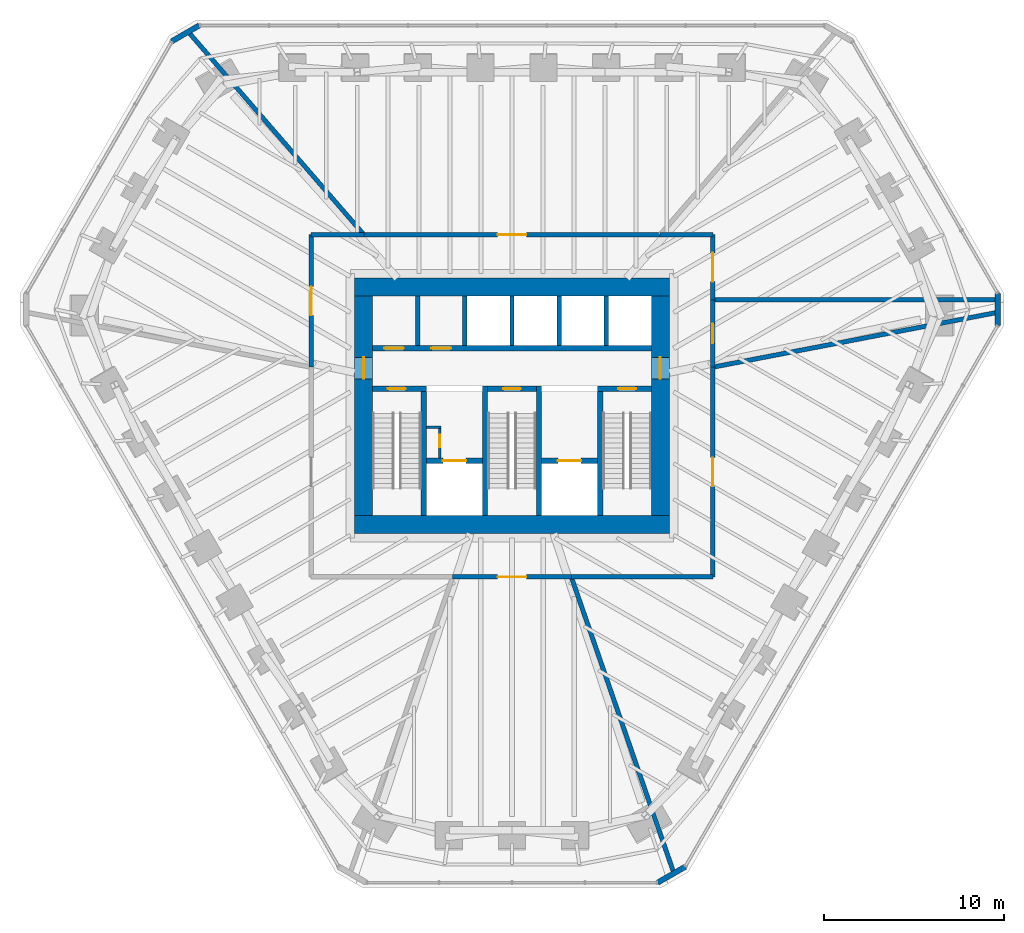
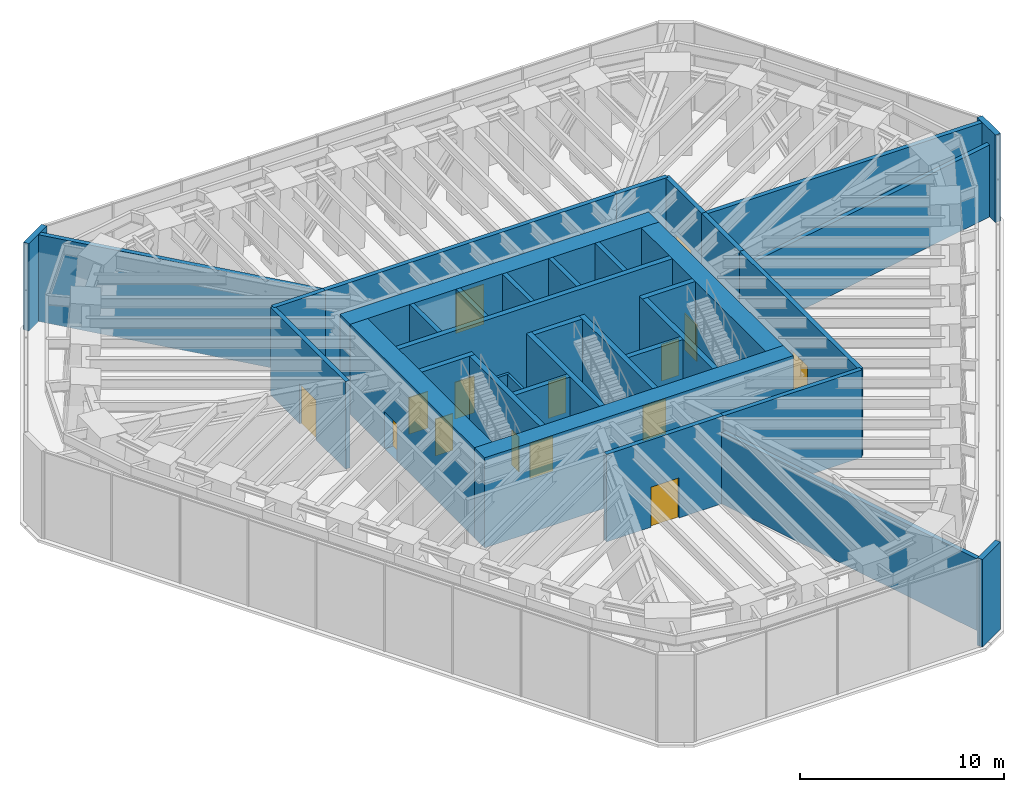
# One storey, part 11 of 13: 37 walls, 16 doors, 16 openings.
"""IFC4 building model written with IfcOpenShell, lengths in metres."""

from ifc_helpers import new_model, si_unit, direction, frame, frame_2d, origin, place, context, subcontext, project, spatial, rectangle, extrude, material, layer, layer_set, type_object, element, fill, save


model = new_model("IFC4")

# Units and contexts
model_context = context("Model", 3, precision=1e-05, world=origin(), true_north=direction((0.0, 1.0)))
body_context = subcontext(model_context, "Body", "Model", "MODEL_VIEW")
ifc_project = project(units=[si_unit("LENGTHUNIT", "METRE"), si_unit("AREAUNIT", "SQUARE_METRE"), si_unit("VOLUMEUNIT", "CUBIC_METRE"), si_unit("PLANEANGLEUNIT", "RADIAN"), si_unit("MASSUNIT", "GRAM", prefix="KILO")], contexts=[model_context])

# Site, building, storey
site_placement = place(None, origin())
site = spatial("IfcSite", under=ifc_project, at=site_placement, CompositionType="ELEMENT")
building_placement = place(site_placement, origin())
building = spatial("IfcBuilding", under=site, at=building_placement, Name="Sandreach Pilgrim Tower", CompositionType="ELEMENT")
storey_placement = place(building_placement, frame((0.0, 0.0, 251.60009765625)))
storey = spatial("IfcBuildingStorey", under=building, at=storey_placement, Name="L63", CompositionType="ELEMENT", Elevation=251.60009765625)

# Walls
ifc_material_1 = material(Name="Concrete 10000 psi", Category="concrete")
ifc_layer_1 = layer(ifc_material_1, 0.300048828125)
ifc_layer_set_1 = layer_set([ifc_layer_1], Name="Core inner wall 300")
wall_type_1 = type_object("IfcWallType", Name="Core inner wall 300", PredefinedType="SHEAR", material=ifc_layer_set_1)
for number, where, z_axis, x_axis, name in (
    (1, (-4.89990234375, -6.10009765625, 0.0), (0.0, 0.0, 1.0), (0.0, 1.0, 0.0), "Core wall I0 L63"),
    (2, (-1.5, -6.10009765625, 0.0), (0.0, 0.0, 1.0), (0.0, 1.0, 0.0), "Core wall I1 L63"),
    (3, (1.5, -6.10009765625, 0.0), (0.0, 0.0, 1.0), (0.0, 1.0, 0.0), "Core wall I2 L63"),
    (4, (4.89990234375, -6.10009765625, 0.0), (0.0, 0.0, 1.0), (0.0, 1.0, 0.0), "Core wall I3 L63"),
):
    element("IfcWall", number, at=place(storey_placement, frame(where, z_axis=z_axis, x_axis=x_axis)), inside=storey, type_object=wall_type_1, Name=name, PredefinedType="SHEAR", context=body_context, shape_type="SweptSolid", body=[
        extrude(rectangle(XDim=7.2001953125, YDim=0.300048828125, at=frame_2d((3.60009765625, 0.0))), origin(), (0.0, 0.0, 1.0), 5.39990234375),
    ])

# Wall, opening, door
wall_1_placement = place(storey_placement, frame((-7.75, 0.949951171875, 0.0), z_axis=(0.0, 0.0, 1.0), x_axis=(1.0, 0.0, 0.0)))
wall_1 = element("IfcWall", 5, at=wall_1_placement, inside=storey, type_object=wall_type_1, Name="Core wall SN1 L63", PredefinedType="SHEAR", context=body_context, shape_type="SweptSolid", body=[
    extrude(rectangle(XDim=3.0, YDim=0.300048828125, at=frame_2d((1.5, 0.0))), origin(), (0.0, 0.0, 1.0), 5.39990234375),
])
opening_1_placement = place(wall_1_placement, frame((0.85009765625, 0.0, 0.0)))
opening_1 = element("IfcOpeningElement", 6, at=opening_1_placement, cuts=wall_1, Name="Opening D10S-ST1", PredefinedType="OPENING", context=body_context, shape_type="SweptSolid", body=[
    extrude(rectangle(XDim=1.0, YDim=2.199951171875, at=frame_2d((0.5, 1.10009765625))), frame((0.0, 0.14990234375, 0.0), z_axis=(0.0, -1.0, 0.0), x_axis=(1.0, 0.0, 0.0)), (0.0, 0.0, 1.0), 0.300048828125),
])
ifc_material_2 = material(Name="Steel door and frame", Category="steel")
door_type_1 = type_object("IfcDoorType", Name="Stair door", OperationType="SINGLE_SWING_LEFT", PredefinedType="DOOR", material=ifc_material_2)
door_1_placement = place(opening_1_placement, origin())
door_1 = element("IfcDoor", 7, at=door_1_placement, inside=storey, type_object=door_type_1, Name="Stair door ST1 L63", OperationType="SINGLE_SWING_LEFT", OverallHeight=2.199951171875, OverallWidth=1.0, PredefinedType="DOOR", context=body_context, shape_type="SweptSolid", body=[
    extrude(rectangle(XDim=1.0, YDim=2.199951171875, at=frame_2d((0.5, 1.10009765625))), frame((0.0, 0.02490234375, 0.0), z_axis=(0.0, -1.0, 0.0), x_axis=(1.0, 0.0, 0.0)), (0.0, 0.0, 1.0), 0.050048828125),
])
fill(opening_1, door_1)

wall_2_placement = place(storey_placement, frame((-1.35009765625, 0.949951171875, 0.0), z_axis=(0.0, 0.0, 1.0), x_axis=(1.0, 0.0, 0.0)))
wall_2 = element("IfcWall", 8, at=wall_2_placement, inside=storey, type_object=wall_type_1, Name="Core wall SN3 L63", PredefinedType="SHEAR", context=body_context, shape_type="SweptSolid", body=[
    extrude(rectangle(XDim=2.7001953125, YDim=0.300048828125, at=frame_2d((1.35009765625, 0.0))), origin(), (0.0, 0.0, 1.0), 5.39990234375),
])
opening_2_placement = place(wall_2_placement, frame((0.85009765625, 0.0, 0.0)))
opening_2 = element("IfcOpeningElement", 9, at=opening_2_placement, cuts=wall_2, Name="Opening D10S-ST3", PredefinedType="OPENING", context=body_context, shape_type="SweptSolid", body=[
    extrude(rectangle(XDim=1.0, YDim=2.199951171875, at=frame_2d((0.5, 1.10009765625))), frame((0.0, 0.14990234375, 0.0), z_axis=(0.0, -1.0, 0.0), x_axis=(1.0, 0.0, 0.0)), (0.0, 0.0, 1.0), 0.300048828125),
])
door_2_placement = place(opening_2_placement, origin())
door_2 = element("IfcDoor", 10, at=door_2_placement, inside=storey, type_object=door_type_1, Name="Stair door ST3 L63", OperationType="SINGLE_SWING_LEFT", OverallHeight=2.199951171875, OverallWidth=1.0, PredefinedType="DOOR", context=body_context, shape_type="SweptSolid", body=[
    extrude(rectangle(XDim=1.0, YDim=2.199951171875, at=frame_2d((0.5, 1.10009765625))), frame((0.0, 0.02490234375, 0.0), z_axis=(0.0, -1.0, 0.0), x_axis=(1.0, 0.0, 0.0)), (0.0, 0.0, 1.0), 0.050048828125),
])
fill(opening_2, door_2)

wall_3_placement = place(storey_placement, frame((4.75, 0.949951171875, 0.0), z_axis=(0.0, 0.0, 1.0), x_axis=(1.0, 0.0, 0.0)))
wall_3 = element("IfcWall", 11, at=wall_3_placement, inside=storey, type_object=wall_type_1, Name="Core wall SN2 L63", PredefinedType="SHEAR", context=body_context, shape_type="SweptSolid", body=[
    extrude(rectangle(XDim=3.0, YDim=0.300048828125, at=frame_2d((1.5, 0.0))), origin(), (0.0, 0.0, 1.0), 5.39990234375),
])
opening_3_placement = place(wall_3_placement, frame((1.14990234375, 0.0, 0.0)))
opening_3 = element("IfcOpeningElement", 12, at=opening_3_placement, cuts=wall_3, Name="Opening D10S-ST2", PredefinedType="OPENING", context=body_context, shape_type="SweptSolid", body=[
    extrude(rectangle(XDim=1.0, YDim=2.199951171875, at=frame_2d((0.5, 1.10009765625))), frame((0.0, 0.14990234375, 0.0), z_axis=(0.0, -1.0, 0.0), x_axis=(1.0, 0.0, 0.0)), (0.0, 0.0, 1.0), 0.300048828125),
])
door_3_placement = place(opening_3_placement, origin())
door_3 = element("IfcDoor", 13, at=door_3_placement, inside=storey, type_object=door_type_1, Name="Stair door ST2 L63", OperationType="SINGLE_SWING_RIGHT", OverallHeight=2.199951171875, OverallWidth=1.0, PredefinedType="DOOR", context=body_context, shape_type="SweptSolid", body=[
    extrude(rectangle(XDim=1.0, YDim=2.199951171875, at=frame_2d((0.5, 1.10009765625))), frame((0.0, 0.02490234375, 0.0), z_axis=(0.0, -1.0, 0.0), x_axis=(1.0, 0.0, 0.0)), (0.0, 0.0, 1.0), 0.050048828125),
])
fill(opening_3, door_3)

wall_4_placement = place(storey_placement, frame((-4.75, -3.050048828125, 0.0), z_axis=(0.0, 0.0, 1.0), x_axis=(1.0, 0.0, 0.0)))
wall_4 = element("IfcWall", 14, at=wall_4_placement, inside=storey, type_object=wall_type_1, Name="Core wall FL1 L63", PredefinedType="SHEAR", context=body_context, shape_type="SweptSolid", body=[
    extrude(rectangle(XDim=3.10009765625, YDim=0.300048828125, at=frame_2d((1.550048828125, 0.0))), origin(), (0.0, 0.0, 1.0), 5.39990234375),
])
opening_4_placement = place(wall_4_placement, frame((0.89990234375, 0.0, 0.0)))
opening_4 = element("IfcOpeningElement", 15, at=opening_4_placement, cuts=wall_4, Name="Opening LD13", PredefinedType="OPENING", context=body_context, shape_type="SweptSolid", body=[
    extrude(rectangle(XDim=1.300048828125, YDim=2.10009765625, at=frame_2d((0.64990234375, 1.050048828125))), frame((0.0, 0.14990234375, 0.0), z_axis=(0.0, -1.0, 0.0), x_axis=(1.0, 0.0, 0.0)), (0.0, 0.0, 1.0), 0.300048828125),
])
ifc_material_3 = material(Name="Steel door and frame", Category="steel")
door_type_2 = type_object("IfcDoorType", Name="Fire service lift landing door", OperationType="DOUBLE_DOOR_SLIDING", PredefinedType="DOOR", material=ifc_material_3)
door_4_placement = place(opening_4_placement, origin())
door_4 = element("IfcDoor", 16, at=door_4_placement, inside=storey, type_object=door_type_2, Name="Lift landing door FS1 L63", OperationType="DOUBLE_DOOR_SLIDING", OverallHeight=2.10009765625, OverallWidth=1.300048828125, PredefinedType="DOOR", context=body_context, shape_type="SweptSolid", body=[
    extrude(rectangle(XDim=1.300048828125, YDim=2.10009765625, at=frame_2d((0.64990234375, 1.050048828125))), frame((0.0, 0.02490234375, 0.0), z_axis=(0.0, -1.0, 0.0), x_axis=(1.0, 0.0, 0.0)), (0.0, 0.0, 1.0), 0.050048828125),
])
fill(opening_4, door_4)

wall_5_placement = place(storey_placement, frame((1.64990234375, -3.050048828125, 0.0), z_axis=(0.0, 0.0, 1.0), x_axis=(1.0, 0.0, 0.0)))
wall_5 = element("IfcWall", 17, at=wall_5_placement, inside=storey, type_object=wall_type_1, Name="Core wall FL2 L63", PredefinedType="SHEAR", context=body_context, shape_type="SweptSolid", body=[
    extrude(rectangle(XDim=3.10009765625, YDim=0.300048828125, at=frame_2d((1.550048828125, 0.0))), origin(), (0.0, 0.0, 1.0), 5.39990234375),
])
opening_5_placement = place(wall_5_placement, frame((0.89990234375, 0.0, 0.0)))
opening_5 = element("IfcOpeningElement", 18, at=opening_5_placement, cuts=wall_5, Name="Opening LD13", PredefinedType="OPENING", context=body_context, shape_type="SweptSolid", body=[
    extrude(rectangle(XDim=1.300048828125, YDim=2.10009765625, at=frame_2d((0.64990234375, 1.050048828125))), frame((0.0, 0.14990234375, 0.0), z_axis=(0.0, -1.0, 0.0), x_axis=(1.0, 0.0, 0.0)), (0.0, 0.0, 1.0), 0.300048828125),
])
door_5_placement = place(opening_5_placement, origin())
door_5 = element("IfcDoor", 19, at=door_5_placement, inside=storey, type_object=door_type_2, Name="Lift landing door FS2 L63", OperationType="DOUBLE_DOOR_SLIDING", OverallHeight=2.10009765625, OverallWidth=1.300048828125, PredefinedType="DOOR", context=body_context, shape_type="SweptSolid", body=[
    extrude(rectangle(XDim=1.300048828125, YDim=2.10009765625, at=frame_2d((0.64990234375, 1.050048828125))), frame((0.0, 0.02490234375, 0.0), z_axis=(0.0, -1.0, 0.0), x_axis=(1.0, 0.0, 0.0)), (0.0, 0.0, 1.0), 0.050048828125),
])
fill(opening_5, door_5)

# Wall, openings, doors
wall_6_placement = place(storey_placement, frame((-7.75, 3.199951171875, 0.0), z_axis=(0.0, 0.0, 1.0), x_axis=(1.0, 0.0, 0.0)))
wall_6 = element("IfcWall", 20, at=wall_6_placement, inside=storey, type_object=wall_type_1, Name="Core wall PN L63", PredefinedType="SHEAR", context=body_context, shape_type="SweptSolid", body=[
    extrude(rectangle(XDim=15.5, YDim=0.300048828125, at=frame_2d((7.75, 0.0))), origin(), (0.0, 0.0, 1.0), 5.39990234375),
])
opening_6_placement = place(wall_6_placement, frame((0.637451171875, 0.0, 0.0)))
opening_6 = element("IfcOpeningElement", 21, at=opening_6_placement, cuts=wall_6, Name="Opening D11L", PredefinedType="OPENING", context=body_context, shape_type="SweptSolid", body=[
    extrude(rectangle(XDim=1.10009765625, YDim=2.199951171875, at=frame_2d((0.550048828125, 1.10009765625))), frame((0.0, 0.14990234375, 0.0), z_axis=(0.0, -1.0, 0.0), x_axis=(1.0, 0.0, 0.0)), (0.0, 0.0, 1.0), 0.300048828125),
])
opening_7_placement = place(wall_6_placement, frame((3.262451171875, 0.0, 0.0)))
opening_7 = element("IfcOpeningElement", 22, at=opening_7_placement, cuts=wall_6, Name="Opening D11L", PredefinedType="OPENING", context=body_context, shape_type="SweptSolid", body=[
    extrude(rectangle(XDim=1.10009765625, YDim=2.199951171875, at=frame_2d((0.550048828125, 1.10009765625))), frame((0.0, 0.14990234375, 0.0), z_axis=(0.0, -1.0, 0.0), x_axis=(1.0, 0.0, 0.0)), (0.0, 0.0, 1.0), 0.300048828125),
])
ifc_material_4 = material(Name="Steel door and frame, smoke seals", Category="steel")
door_type_3 = type_object("IfcDoorType", Name="Core room door", OperationType="SINGLE_SWING_LEFT", PredefinedType="DOOR", material=ifc_material_4)
door_6_placement = place(opening_6_placement, origin())
door_6 = element("IfcDoor", 23, at=door_6_placement, inside=storey, type_object=door_type_3, Name="Door plant spares store 63K1", OperationType="SINGLE_SWING_LEFT", OverallHeight=2.199951171875, OverallWidth=1.10009765625, PredefinedType="DOOR", context=body_context, shape_type="SweptSolid", body=[
    extrude(rectangle(XDim=1.10009765625, YDim=2.199951171875, at=frame_2d((0.550048828125, 1.10009765625))), frame((0.0, 0.02490234375, 0.0), z_axis=(0.0, -1.0, 0.0), x_axis=(1.0, 0.0, 0.0)), (0.0, 0.0, 1.0), 0.050048828125),
])
fill(opening_6, door_6)
door_7_placement = place(opening_7_placement, origin())
door_7 = element("IfcDoor", 24, at=door_7_placement, inside=storey, type_object=door_type_3, Name="Door refuge equipment store 63K2", OperationType="SINGLE_SWING_LEFT", OverallHeight=2.199951171875, OverallWidth=1.10009765625, PredefinedType="DOOR", context=body_context, shape_type="SweptSolid", body=[
    extrude(rectangle(XDim=1.10009765625, YDim=2.199951171875, at=frame_2d((0.550048828125, 1.10009765625))), frame((0.0, 0.02490234375, 0.0), z_axis=(0.0, -1.0, 0.0), x_axis=(1.0, 0.0, 0.0)), (0.0, 0.0, 1.0), 0.050048828125),
])
fill(opening_7, door_7)

# Walls
ifc_material_5 = material(Name="Concrete 10000 psi", Category="concrete")
ifc_layer_2 = layer(ifc_material_5, 1.0)
ifc_layer_set_2 = layer_set([ifc_layer_2], Name="Core wall 1000")
wall_type_2 = type_object("IfcWallType", Name="Core wall 1000", PredefinedType="SHEAR", material=ifc_layer_set_2)
for number, where, z_axis, x_axis, name in (
    (25, (-8.75, 6.60009765625, 0.0), (0.0, 0.0, 1.0), (1.0, 0.0, 0.0), "Core wall N L63"),
    (26, (-8.75, -6.60009765625, 0.0), (0.0, 0.0, 1.0), (1.0, 0.0, 0.0), "Core wall S L63"),
):
    element("IfcWall", number, at=place(storey_placement, frame(where, z_axis=z_axis, x_axis=x_axis)), inside=storey, type_object=wall_type_2, Name=name, PredefinedType="SHEAR", context=body_context, shape_type="SweptSolid", body=[
        extrude(rectangle(XDim=17.5, YDim=1.0, at=frame_2d((8.75, 0.0))), origin(), (0.0, 0.0, 1.0), 5.39990234375),
    ])

# Wall, opening, door
wall_7_placement = place(storey_placement, frame((-8.25, -6.10009765625, 0.0), z_axis=(0.0, 0.0, 1.0), x_axis=(0.0, 1.0, 0.0)))
wall_7 = element("IfcWall", 27, at=wall_7_placement, inside=storey, type_object=wall_type_2, Name="Core wall W L63", PredefinedType="SHEAR", context=body_context, shape_type="SweptSolid", body=[
    extrude(rectangle(XDim=12.2001953125, YDim=1.0, at=frame_2d((6.10009765625, 0.0))), origin(), (0.0, 0.0, 1.0), 5.39990234375),
])
opening_8_placement = place(wall_7_placement, frame((7.60009765625, 0.0, 0.0)))
opening_8 = element("IfcOpeningElement", 28, at=opening_8_placement, cuts=wall_7, Name="Opening D12F-W", PredefinedType="OPENING", context=body_context, shape_type="SweptSolid", body=[
    extrude(rectangle(XDim=1.199951171875, YDim=2.199951171875, at=frame_2d((0.60009765625, 1.10009765625))), frame((0.0, 0.5, 0.0), z_axis=(0.0, -1.0, 0.0), x_axis=(1.0, 0.0, 0.0)), (0.0, 0.0, 1.0), 1.0),
])
ifc_material_6 = material(Name="Steel door and frame", Category="steel")
door_type_4 = type_object("IfcDoorType", Name="Fire lobby door", OperationType="SINGLE_SWING_LEFT", PredefinedType="DOOR", material=ifc_material_6)
door_8_placement = place(opening_8_placement, origin())
door_8 = element("IfcDoor", 29, at=door_8_placement, inside=storey, type_object=door_type_4, Name="Fire service lobby door W L63", OperationType="SINGLE_SWING_RIGHT", OverallHeight=2.199951171875, OverallWidth=1.199951171875, PredefinedType="DOOR", context=body_context, shape_type="SweptSolid", body=[
    extrude(rectangle(XDim=1.199951171875, YDim=2.199951171875, at=frame_2d((0.60009765625, 1.10009765625))), frame((0.0, 0.02490234375, 0.0), z_axis=(0.0, -1.0, 0.0), x_axis=(1.0, 0.0, 0.0)), (0.0, 0.0, 1.0), 0.050048828125),
])
fill(opening_8, door_8)

wall_8_placement = place(storey_placement, frame((8.25, -6.10009765625, 0.0), z_axis=(0.0, 0.0, 1.0), x_axis=(0.0, 1.0, 0.0)))
wall_8 = element("IfcWall", 30, at=wall_8_placement, inside=storey, type_object=wall_type_2, Name="Core wall E L63", PredefinedType="SHEAR", context=body_context, shape_type="SweptSolid", body=[
    extrude(rectangle(XDim=12.2001953125, YDim=1.0, at=frame_2d((6.10009765625, 0.0))), origin(), (0.0, 0.0, 1.0), 5.39990234375),
])
opening_9_placement = place(wall_8_placement, frame((7.60009765625, 0.0, 0.0)))
opening_9 = element("IfcOpeningElement", 31, at=opening_9_placement, cuts=wall_8, Name="Opening D12F-E", PredefinedType="OPENING", context=body_context, shape_type="SweptSolid", body=[
    extrude(rectangle(XDim=1.199951171875, YDim=2.199951171875, at=frame_2d((0.60009765625, 1.10009765625))), frame((0.0, 0.5, 0.0), z_axis=(0.0, -1.0, 0.0), x_axis=(1.0, 0.0, 0.0)), (0.0, 0.0, 1.0), 1.0),
])
door_9_placement = place(opening_9_placement, origin())
door_9 = element("IfcDoor", 32, at=door_9_placement, inside=storey, type_object=door_type_4, Name="Fire service lobby door E L63", OperationType="SINGLE_SWING_RIGHT", OverallHeight=2.199951171875, OverallWidth=1.199951171875, PredefinedType="DOOR", context=body_context, shape_type="SweptSolid", body=[
    extrude(rectangle(XDim=1.199951171875, YDim=2.199951171875, at=frame_2d((0.60009765625, 1.10009765625))), frame((0.0, 0.02490234375, 0.0), z_axis=(0.0, -1.0, 0.0), x_axis=(1.0, 0.0, 0.0)), (0.0, 0.0, 1.0), 0.050048828125),
])
fill(opening_9, door_9)

ifc_material_7 = material(Name="Acoustic gypsum board wall, double frame", Category="gypsum")
ifc_layer_3 = layer(ifc_material_7, 0.25)
ifc_layer_set_3 = layer_set([ifc_layer_3], Name="Hall partition 250")
wall_type_3 = type_object("IfcWallType", Name="Hall partition 250", PredefinedType="PARTITIONING", material=ifc_layer_set_3)
wall_9_placement = place(storey_placement, frame((-11.169921875, 9.52001953125, 0.0), z_axis=(0.0, 0.0, 1.0), x_axis=(0.0, -1.0, 0.0)))
wall_9 = element("IfcWall", 33, at=wall_9_placement, inside=storey, type_object=wall_type_3, Name="Hall partition L63-004", PredefinedType="PARTITIONING", context=body_context, shape_type="SweptSolid", body=[
    extrude(rectangle(XDim=7.3701171875, YDim=0.25, at=frame_2d((3.68505859375, 0.0))), origin(), (0.0, 0.0, 1.0), 5.239990234375),
])
opening_10_placement = place(wall_9_placement, frame((2.885009765625, 0.0, 0.0)))
opening_10 = element("IfcOpeningElement", 34, at=opening_10_placement, cuts=wall_9, Name="Opening D16-06", PredefinedType="OPENING", context=body_context, shape_type="SweptSolid", body=[
    extrude(rectangle(XDim=1.60009765625, YDim=2.39990234375, at=frame_2d((0.800048828125, 1.199951171875))), frame((0.0, 0.125, 0.0), z_axis=(0.0, -1.0, 0.0), x_axis=(1.0, 0.0, 0.0)), (0.0, 0.0, 1.0), 0.25),
])
ifc_material_8 = material(Name="Steel door and frame", Category="steel")
door_type_5 = type_object("IfcDoorType", Name="Hall double door", OperationType="DOUBLE_DOOR_SINGLE_SWING", PredefinedType="DOOR", material=ifc_material_8)
door_10_placement = place(opening_10_placement, origin())
door_10 = element("IfcDoor", 35, at=door_10_placement, inside=storey, type_object=door_type_5, Name="Door 6306", OperationType="DOUBLE_DOOR_SINGLE_SWING", OverallHeight=2.39990234375, OverallWidth=1.60009765625, PredefinedType="DOOR", context=body_context, shape_type="SweptSolid", body=[
    extrude(rectangle(XDim=1.60009765625, YDim=2.39990234375, at=frame_2d((0.800048828125, 1.199951171875))), frame((0.0, 0.02490234375, 0.0), z_axis=(0.0, -1.0, 0.0), x_axis=(1.0, 0.0, 0.0)), (0.0, 0.0, 1.0), 0.050048828125),
])
fill(opening_10, door_10)

# Walls
wall_10_placement = place(storey_placement, frame((-8.239990234375, 9.52001953125, 0.0), z_axis=(0.0, 0.0, 1.0), x_axis=(-0.654518662261, 0.756045845668, 0.0)))
element("IfcWall", 36, at=wall_10_placement, inside=storey, type_object=wall_type_3, Name="Hall partition L63-006", PredefinedType="PARTITIONING", context=body_context, shape_type="SweptSolid", body=[
    extrude(rectangle(XDim=14.942626953125, YDim=0.25, at=frame_2d((7.47119140625, 0.0))), origin(), (0.0, 0.0, 1.0), 5.199951171875),
])
wall_11_placement = place(storey_placement, frame((-8.239990234375, 9.52001953125, 0.0), z_axis=(0.0, 0.0, 1.0), x_axis=(-1.0, 0.0, 0.0)))
element("IfcWall", 37, at=wall_11_placement, inside=storey, type_object=wall_type_3, Name="Hall partition L63-007", PredefinedType="PARTITIONING", context=body_context, shape_type="SweptSolid", body=[
    extrude(rectangle(XDim=2.929931640625, YDim=0.25, at=frame_2d((1.46484375, 0.0))), origin(), (0.0, 0.0, 1.0), 5.239990234375),
])

# Wall, opening, door
wall_12_placement = place(storey_placement, frame((-3.300048828125, -9.52001953125, 0.0), z_axis=(0.0, 0.0, 1.0), x_axis=(1.0, 0.0, 0.0)))
wall_12 = element("IfcWall", 38, at=wall_12_placement, inside=storey, type_object=wall_type_3, Name="Hall partition L63-008", PredefinedType="PARTITIONING", context=body_context, shape_type="SweptSolid", body=[
    extrude(rectangle(XDim=6.60009765625, YDim=0.25, at=frame_2d((3.300048828125, 0.0))), origin(), (0.0, 0.0, 1.0), 5.239990234375),
])
opening_11_placement = place(wall_12_placement, frame((2.5, 0.0, 0.0)))
opening_11 = element("IfcOpeningElement", 39, at=opening_11_placement, cuts=wall_12, Name="Opening D16-04", PredefinedType="OPENING", context=body_context, shape_type="SweptSolid", body=[
    extrude(rectangle(XDim=1.60009765625, YDim=2.39990234375, at=frame_2d((0.800048828125, 1.199951171875))), frame((0.0, 0.125, 0.0), z_axis=(0.0, -1.0, 0.0), x_axis=(1.0, 0.0, 0.0)), (0.0, 0.0, 1.0), 0.25),
])
door_11_placement = place(opening_11_placement, origin())
door_11 = element("IfcDoor", 40, at=door_11_placement, inside=storey, type_object=door_type_5, Name="Door 6304", OperationType="DOUBLE_DOOR_SINGLE_SWING", OverallHeight=2.39990234375, OverallWidth=1.60009765625, PredefinedType="DOOR", context=body_context, shape_type="SweptSolid", body=[
    extrude(rectangle(XDim=1.60009765625, YDim=2.39990234375, at=frame_2d((0.800048828125, 1.199951171875))), frame((0.0, 0.02490234375, 0.0), z_axis=(0.0, -1.0, 0.0), x_axis=(1.0, 0.0, 0.0)), (0.0, 0.0, 1.0), 0.050048828125),
])
fill(opening_11, door_11)

# Wall
wall_13_placement = place(storey_placement, frame((3.300048828125, -9.52001953125, 0.0), z_axis=(0.0, 0.0, 1.0), x_axis=(1.0, 0.0, 0.0)))
element("IfcWall", 41, at=wall_13_placement, inside=storey, type_object=wall_type_3, Name="Hall partition L63-009", PredefinedType="PARTITIONING", context=body_context, shape_type="SweptSolid", body=[
    extrude(rectangle(XDim=7.869873046875, YDim=0.25, at=frame_2d((3.93505859375, 0.0))), origin(), (0.0, 0.0, 1.0), 5.239990234375),
])

# Wall, opening, door
wall_14_placement = place(storey_placement, frame((8.239990234375, 9.52001953125, 0.0), z_axis=(0.0, 0.0, 1.0), x_axis=(-1.0, 0.0, 0.0)))
wall_14 = element("IfcWall", 42, at=wall_14_placement, inside=storey, type_object=wall_type_3, Name="Hall partition L63-010", PredefinedType="PARTITIONING", context=body_context, shape_type="SweptSolid", body=[
    extrude(rectangle(XDim=16.47998046875, YDim=0.25, at=frame_2d((8.239990234375, 0.0))), origin(), (0.0, 0.0, 1.0), 5.239990234375),
])
opening_12_placement = place(wall_14_placement, frame((7.43994140625, 0.0, 0.0)))
opening_12 = element("IfcOpeningElement", 43, at=opening_12_placement, cuts=wall_14, Name="Opening D16-01", PredefinedType="OPENING", context=body_context, shape_type="SweptSolid", body=[
    extrude(rectangle(XDim=1.60009765625, YDim=2.39990234375, at=frame_2d((0.800048828125, 1.199951171875))), frame((0.0, 0.125, 0.0), z_axis=(0.0, -1.0, 0.0), x_axis=(1.0, 0.0, 0.0)), (0.0, 0.0, 1.0), 0.25),
])
door_12_placement = place(opening_12_placement, origin())
door_12 = element("IfcDoor", 44, at=door_12_placement, inside=storey, type_object=door_type_5, Name="Door 6301", OperationType="DOUBLE_DOOR_SINGLE_SWING", OverallHeight=2.39990234375, OverallWidth=1.60009765625, PredefinedType="DOOR", context=body_context, shape_type="SweptSolid", body=[
    extrude(rectangle(XDim=1.60009765625, YDim=2.39990234375, at=frame_2d((0.800048828125, 1.199951171875))), frame((0.0, 0.02490234375, 0.0), z_axis=(0.0, -1.0, 0.0), x_axis=(1.0, 0.0, 0.0)), (0.0, 0.0, 1.0), 0.050048828125),
])
fill(opening_12, door_12)

# Wall
wall_15_placement = place(storey_placement, frame((9.01025390625, -26.01171875, 0.0), z_axis=(0.0, 0.0, 1.0), x_axis=(-0.327189359592, 0.944958794324, 0.0)))
element("IfcWall", 45, at=wall_15_placement, inside=storey, type_object=wall_type_3, Name="Hall partition L63-011", PredefinedType="PARTITIONING", context=body_context, shape_type="SweptSolid", body=[
    extrude(rectangle(XDim=17.452392578125, YDim=0.25, at=frame_2d((8.72607421875, 0.0))), origin(), (0.0, 0.0, 1.0), 4.302734375),
])

# Wall, opening, door
wall_16_placement = place(storey_placement, frame((11.169921875, -9.52001953125, 0.0), z_axis=(0.0, 0.0, 1.0), x_axis=(0.0, 1.0, 0.0)))
wall_16 = element("IfcWall", 46, at=wall_16_placement, inside=storey, type_object=wall_type_3, Name="Hall partition L63-012", PredefinedType="PARTITIONING", context=body_context, shape_type="SweptSolid", body=[
    extrude(rectangle(XDim=11.669921875, YDim=0.25, at=frame_2d((5.8349609375, 0.0))), origin(), (0.0, 0.0, 1.0), 5.239990234375),
])
opening_13_placement = place(wall_16_placement, frame((5.034912109375, 0.0, 0.0)))
opening_13 = element("IfcOpeningElement", 47, at=opening_13_placement, cuts=wall_16, Name="Opening D16-03", PredefinedType="OPENING", context=body_context, shape_type="SweptSolid", body=[
    extrude(rectangle(XDim=1.60009765625, YDim=2.39990234375, at=frame_2d((0.800048828125, 1.199951171875))), frame((0.0, 0.125, 0.0), z_axis=(0.0, -1.0, 0.0), x_axis=(1.0, 0.0, 0.0)), (0.0, 0.0, 1.0), 0.25),
])
door_13_placement = place(opening_13_placement, origin())
door_13 = element("IfcDoor", 48, at=door_13_placement, inside=storey, type_object=door_type_5, Name="Door 6303", OperationType="DOUBLE_DOOR_SINGLE_SWING", OverallHeight=2.39990234375, OverallWidth=1.60009765625, PredefinedType="DOOR", context=body_context, shape_type="SweptSolid", body=[
    extrude(rectangle(XDim=1.60009765625, YDim=2.39990234375, at=frame_2d((0.800048828125, 1.199951171875))), frame((0.0, 0.02490234375, 0.0), z_axis=(0.0, -1.0, 0.0), x_axis=(1.0, 0.0, 0.0)), (0.0, 0.0, 1.0), 0.050048828125),
])
fill(opening_13, door_13)

wall_17_placement = place(storey_placement, frame((11.169921875, 2.14990234375, 0.0), z_axis=(0.0, 0.0, 1.0), x_axis=(0.0, 1.0, 0.0)))
wall_17 = element("IfcWall", 49, at=wall_17_placement, inside=storey, type_object=wall_type_3, Name="Hall partition L63-013", PredefinedType="PARTITIONING", context=body_context, shape_type="SweptSolid", body=[
    extrude(rectangle(XDim=3.739990234375, YDim=0.25, at=frame_2d((1.8701171875, 0.0))), origin(), (0.0, 0.0, 1.0), 5.239990234375),
])
opening_14_placement = place(wall_17_placement, frame((1.320068359375, 0.0, 0.0)))
opening_14 = element("IfcOpeningElement", 50, at=opening_14_placement, cuts=wall_17, Name="Opening D11H-N1", PredefinedType="OPENING", context=body_context, shape_type="SweptSolid", body=[
    extrude(rectangle(XDim=1.10009765625, YDim=2.199951171875, at=frame_2d((0.550048828125, 1.10009765625))), frame((0.0, 0.125, 0.0), z_axis=(0.0, -1.0, 0.0), x_axis=(1.0, 0.0, 0.0)), (0.0, 0.0, 1.0), 0.25),
])
ifc_material_9 = material(Name="Steel door and frame", Category="steel")
door_type_6 = type_object("IfcDoorType", Name="Back of house door", OperationType="SINGLE_SWING_LEFT", PredefinedType="DOOR", material=ifc_material_9)
door_14_placement = place(opening_14_placement, origin())
door_14 = element("IfcDoor", 51, at=door_14_placement, inside=storey, type_object=door_type_6, Name="Door 63N1", OperationType="SINGLE_SWING_LEFT", OverallHeight=2.199951171875, OverallWidth=1.10009765625, PredefinedType="DOOR", context=body_context, shape_type="SweptSolid", body=[
    extrude(rectangle(XDim=1.10009765625, YDim=2.199951171875, at=frame_2d((0.550048828125, 1.10009765625))), frame((0.0, 0.02490234375, 0.0), z_axis=(0.0, -1.0, 0.0), x_axis=(1.0, 0.0, 0.0)), (0.0, 0.0, 1.0), 0.050048828125),
])
fill(opening_14, door_14)

# Wall
wall_18_placement = place(storey_placement, frame((11.169921875, 2.14990234375, 0.0), z_axis=(0.0, 0.0, 1.0), x_axis=(0.98197885356, 0.188990822953, 0.0)))
element("IfcWall", 52, at=wall_18_placement, inside=storey, type_object=wall_type_3, Name="Hall partition L63-014", PredefinedType="PARTITIONING", context=body_context, shape_type="SweptSolid", body=[
    extrude(rectangle(XDim=16.161865234375, YDim=0.25, at=frame_2d((8.0810546875, 0.0))), origin(), (0.0, 0.0, 1.0), 4.312744140625),
])

# Wall, opening, door
wall_19_placement = place(storey_placement, frame((11.169921875, 5.889892578125, 0.0), z_axis=(0.0, 0.0, 1.0), x_axis=(0.0, 1.0, 0.0)))
wall_19 = element("IfcWall", 53, at=wall_19_placement, inside=storey, type_object=wall_type_3, Name="Hall partition L63-015", PredefinedType="PARTITIONING", context=body_context, shape_type="SweptSolid", body=[
    extrude(rectangle(XDim=3.630126953125, YDim=0.25, at=frame_2d((1.81494140625, 0.0))), origin(), (0.0, 0.0, 1.0), 5.239990234375),
])
opening_15_placement = place(wall_19_placement, frame((1.014892578125, 0.0, 0.0)))
opening_15 = element("IfcOpeningElement", 54, at=opening_15_placement, cuts=wall_19, Name="Opening D16-02", PredefinedType="OPENING", context=body_context, shape_type="SweptSolid", body=[
    extrude(rectangle(XDim=1.60009765625, YDim=2.39990234375, at=frame_2d((0.800048828125, 1.199951171875))), frame((0.0, 0.125, 0.0), z_axis=(0.0, -1.0, 0.0), x_axis=(1.0, 0.0, 0.0)), (0.0, 0.0, 1.0), 0.25),
])
door_15_placement = place(opening_15_placement, origin())
door_15 = element("IfcDoor", 55, at=door_15_placement, inside=storey, type_object=door_type_5, Name="Door 6302", OperationType="DOUBLE_DOOR_SINGLE_SWING", OverallHeight=2.39990234375, OverallWidth=1.60009765625, PredefinedType="DOOR", context=body_context, shape_type="SweptSolid", body=[
    extrude(rectangle(XDim=1.60009765625, YDim=2.39990234375, at=frame_2d((0.800048828125, 1.199951171875))), frame((0.0, 0.02490234375, 0.0), z_axis=(0.0, -1.0, 0.0), x_axis=(1.0, 0.0, 0.0)), (0.0, 0.0, 1.0), 0.050048828125),
])
fill(opening_15, door_15)

# Walls
wall_20_placement = place(storey_placement, frame((11.169921875, 9.52001953125, 0.0), z_axis=(0.0, 0.0, 1.0), x_axis=(-1.0, 0.0, 0.0)))
element("IfcWall", 56, at=wall_20_placement, inside=storey, type_object=wall_type_3, Name="Hall partition L63-016", PredefinedType="PARTITIONING", context=body_context, shape_type="SweptSolid", body=[
    extrude(rectangle(XDim=2.929931640625, YDim=0.25, at=frame_2d((1.46484375, 0.0))), origin(), (0.0, 0.0, 1.0), 5.239990234375),
])
wall_21_placement = place(storey_placement, frame((27.0400390625, 5.889892578125, 0.0), z_axis=(0.0, 0.0, 1.0), x_axis=(-1.0, 0.0, 0.0)))
element("IfcWall", 57, at=wall_21_placement, inside=storey, type_object=wall_type_3, Name="Hall partition L63-018", PredefinedType="PARTITIONING", context=body_context, shape_type="SweptSolid", body=[
    extrude(rectangle(XDim=15.8701171875, YDim=0.25, at=frame_2d((7.93505859375, 0.0))), origin(), (0.0, 0.0, 1.0), 5.199951171875),
])

# Wall, opening, door
ifc_material_10 = material(Name="Gypsum shaft wall on steel studs, shaft liner board", Category="steel")
ifc_layer_4 = layer(ifc_material_10, 0.14990234375)
ifc_layer_set_4 = layer_set([ifc_layer_4], Name="Riser shaft wall 150")
wall_type_4 = type_object("IfcWallType", Name="Riser shaft wall 150", PredefinedType="PARTITIONING", material=ifc_layer_set_4)
wall_22_placement = place(storey_placement, frame((-4.02490234375, -2.89990234375, 0.0), z_axis=(0.0, 0.0, 1.0), x_axis=(0.0, 1.0, 0.0)))
wall_22 = element("IfcWall", 58, at=wall_22_placement, inside=storey, type_object=wall_type_4, Name="Riser partition L63 side", PredefinedType="PARTITIONING", context=body_context, shape_type="SweptSolid", body=[
    extrude(rectangle(XDim=1.77490234375, YDim=0.14990234375, at=frame_2d((0.887451171875, 0.0))), origin(), (0.0, 0.0, 1.0), 5.239990234375),
])
opening_16_placement = place(wall_22_placement, frame((0.60009765625, 0.0, 0.0)))
opening_16 = element("IfcOpeningElement", 59, at=opening_16_placement, cuts=wall_22, Name="Opening D07R", PredefinedType="OPENING", context=body_context, shape_type="SweptSolid", body=[
    extrude(rectangle(XDim=0.699951171875, YDim=2.10009765625, at=frame_2d((0.35009765625, 1.050048828125))), frame((0.0, 0.074951171875, 0.0), z_axis=(0.0, -1.0, 0.0), x_axis=(1.0, 0.0, 0.0)), (0.0, 0.0, 1.0), 0.14990234375),
])
ifc_material_11 = material(Name="Steel door and frame, smoke seals", Category="steel")
door_type_7 = type_object("IfcDoorType", Name="Riser access door", OperationType="SINGLE_SWING_RIGHT", PredefinedType="DOOR", material=ifc_material_11)
door_16_placement = place(opening_16_placement, origin())
door_16 = element("IfcDoor", 60, at=door_16_placement, inside=storey, type_object=door_type_7, Name="Door riser 63ER", OperationType="SINGLE_SWING_RIGHT", OverallHeight=2.10009765625, OverallWidth=0.699951171875, PredefinedType="DOOR", context=body_context, shape_type="SweptSolid", body=[
    extrude(rectangle(XDim=0.699951171875, YDim=2.10009765625, at=frame_2d((0.35009765625, 1.050048828125))), frame((0.0, 0.02490234375, 0.0), z_axis=(0.0, -1.0, 0.0), x_axis=(1.0, 0.0, 0.0)), (0.0, 0.0, 1.0), 0.050048828125),
])
fill(opening_16, door_16)

# Walls
wall_23_placement = place(storey_placement, frame((-4.75, -1.199951171875, 0.0), z_axis=(0.0, 0.0, 1.0), x_axis=(1.0, 0.0, 0.0)))
element("IfcWall", 61, at=wall_23_placement, inside=storey, type_object=wall_type_4, Name="Riser partition L63 front", PredefinedType="PARTITIONING", context=body_context, shape_type="SweptSolid", body=[
    extrude(rectangle(XDim=0.800048828125, YDim=0.14990234375, at=frame_2d((0.39990234375, 0.0))), origin(), (0.0, 0.0, 1.0), 5.239990234375),
])
ifc_material_12 = material(Name="Gypsum shaft wall on steel studs, two layers of shaft liner board", Category="steel")
ifc_layer_5 = layer(ifc_material_12, 0.25)
ifc_layer_set_5 = layer_set([ifc_layer_5], Name="Shaft partition 250")
wall_type_5 = type_object("IfcWallType", Name="Shaft partition 250", PredefinedType="PARTITIONING", material=ifc_layer_set_5)
for number, where, z_axis, x_axis, name in (
    (62, (-5.25, 3.35009765625, 0.0), (0.0, 0.0, 1.0), (0.0, 1.0, 0.0), "Shaft partition NS0 L63"),
    (63, (-2.625, 3.35009765625, 0.0), (0.0, 0.0, 1.0), (0.0, 1.0, 0.0), "Shaft partition NS1 L63"),
    (64, (0.0, 3.35009765625, 0.0), (0.0, 0.0, 1.0), (0.0, 1.0, 0.0), "Shaft partition NS2 L63"),
    (65, (2.625, 3.35009765625, 0.0), (0.0, 0.0, 1.0), (0.0, 1.0, 0.0), "Shaft partition NS3 L63"),
    (66, (5.25, 3.35009765625, 0.0), (0.0, 0.0, 1.0), (0.0, 1.0, 0.0), "Shaft partition NS4 L63"),
):
    element("IfcWall", number, at=place(storey_placement, frame(where, z_axis=z_axis, x_axis=x_axis)), inside=storey, type_object=wall_type_5, Name=name, PredefinedType="PARTITIONING", context=body_context, shape_type="SweptSolid", body=[
        extrude(rectangle(XDim=2.75, YDim=0.25, at=frame_2d((1.375, 0.0))), origin(), (0.0, 0.0, 1.0), 5.39990234375),
    ])
ifc_material_13 = material(Name="Terracotta rainscreen on concrete", Category="masonry")
ifc_layer_6 = layer(ifc_material_13, 0.300048828125)
ifc_layer_set_6 = layer_set([ifc_layer_6], Name="Terracotta chamfer pier")
wall_type_6 = type_object("IfcWallType", Name="Terracotta chamfer pier", PredefinedType="SOLIDWALL", material=ifc_layer_set_6)
for number, where, z_axis, x_axis, name in (
    (67, (27.02001953125, 6.25, 0.0), (0.0, 0.0, 1.0), (0.0, -1.0, 0.0), "Chamfer pier L63 NE"),
    (68, (9.63037109375, -25.64013671875, 0.0), (0.0, 0.0, 1.0), (-0.866036293601, -0.499981137809, 0.0), "Chamfer pier L63 SE"),
    (69, (-18.9228515625, 20.275146484375, 0.0), (0.0, 0.0, 1.0), (0.866036293601, 0.499981137809, 0.0), "Chamfer pier L63 NW"),
):
    element("IfcWall", number, at=place(storey_placement, frame(where, z_axis=z_axis, x_axis=x_axis)), inside=storey, type_object=wall_type_6, Name=name, PredefinedType="SOLIDWALL", context=body_context, shape_type="SweptSolid", body=[
        extrude(rectangle(XDim=1.77001953125, YDim=0.300048828125, at=frame_2d((0.885009765625, 0.0))), origin(), (0.0, 0.0, 1.0), 5.239990234375),
    ])

save(model, "model.ifc")
